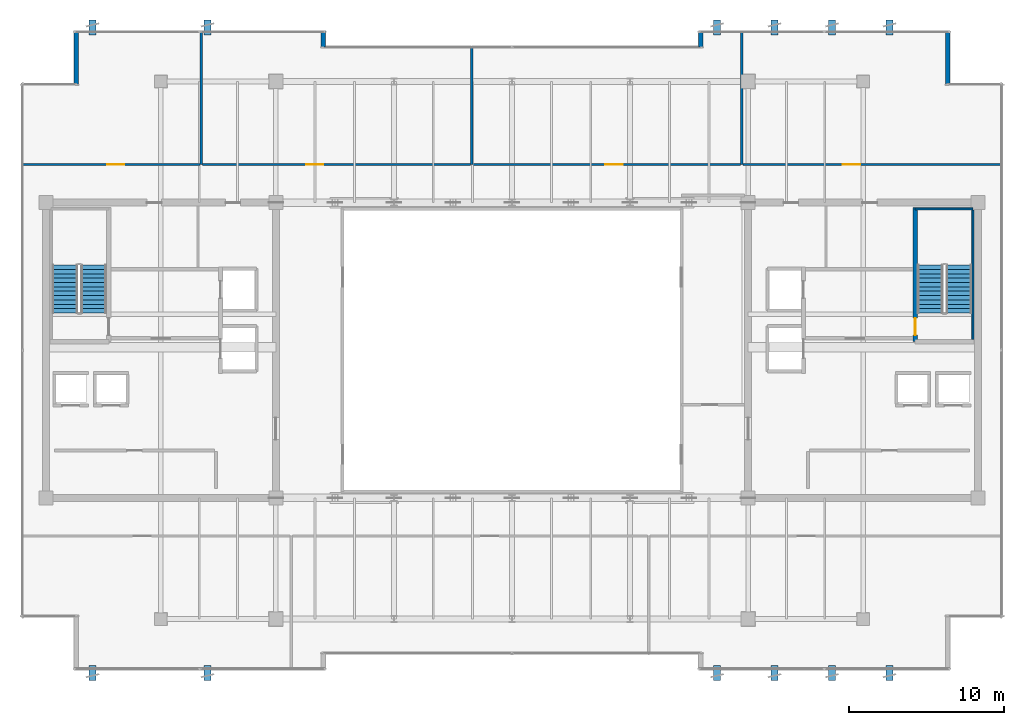
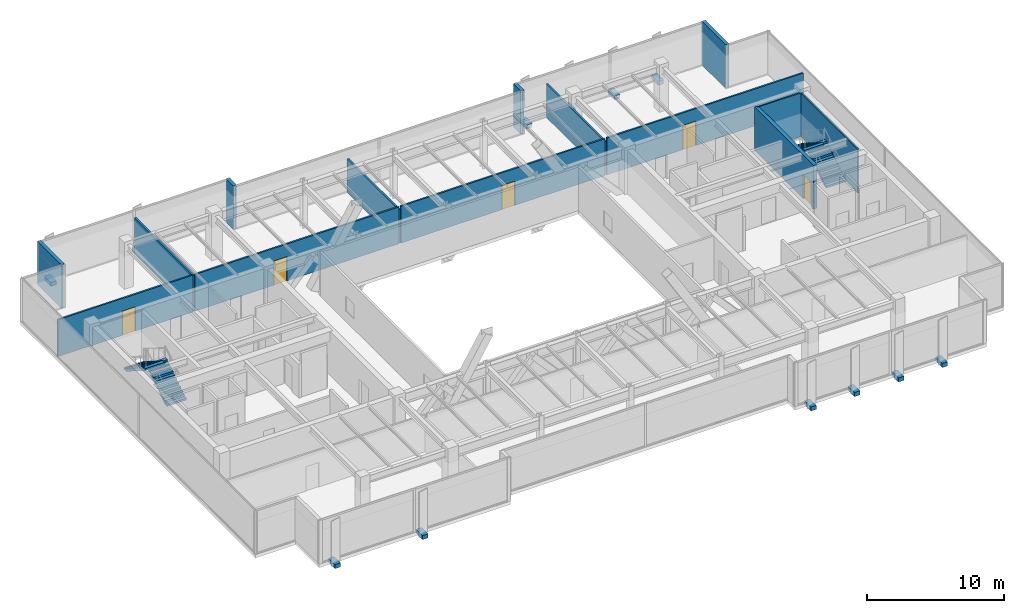
# One storey, part 28 of 32: 14 walls, 12 discrete accessories, 5 doors, 4 stair flights, 5 openings, 2 elements without a shape of their own.
"""IFC4 building model written with IfcOpenShell, lengths in metres."""

from ifc_helpers import new_model, si_unit, direction, frame, frame_2d, origin, origin_2d, place, context, subcontext, project, spatial, polyline, rectangle, outline, extrude, source, transform, mapped, material, layer, layer_set, type_object, type_shapes, element, fill, aggregate, save


model = new_model("IFC4")

# Units and contexts
model_context = context("Model", 3, precision=1e-05, world=origin(), true_north=direction((0.0, 1.0)))
body_context = subcontext(model_context, "Body", "Model", "MODEL_VIEW")
ifc_project = project(units=[si_unit("LENGTHUNIT", "METRE"), si_unit("AREAUNIT", "SQUARE_METRE"), si_unit("VOLUMEUNIT", "CUBIC_METRE"), si_unit("PLANEANGLEUNIT", "RADIAN"), si_unit("MASSUNIT", "GRAM", prefix="KILO")], contexts=[model_context])

# Site, building, storey
site_placement = place(None, origin())
site = spatial("IfcSite", under=ifc_project, at=site_placement, CompositionType="ELEMENT")
building_placement = place(site_placement, origin())
building = spatial("IfcBuilding", under=site, at=building_placement, Name="Haelvirn Gate Laboratories", CompositionType="ELEMENT")
storey_placement = place(building_placement, frame((0.0, 0.0, 306.0)))
storey = spatial("IfcBuildingStorey", under=building, at=storey_placement, Name="L73", CompositionType="ELEMENT", Elevation=306.0)

# Walls
ifc_material_1 = material(Name="Thermally-broken bronze aluminium rainscreen & mineral wool", Category="aluminium")
ifc_layer_1 = layer(ifc_material_1, 0.280029296875, Name="EW-TERR-280")
ifc_layer_set_1 = layer_set([ifc_layer_1], Name="Thermally-broken bronze aluminium rainscreen & mineral wool")
wall_type_1 = type_object("IfcWallType", Name="EW-TERR-280", PredefinedType="STANDARD", material=ifc_layer_set_1)
wall_1_placement = place(storey_placement, frame((65.4599609375, 41.412109375, 0.0), z_axis=(0.0, 0.0, 1.0), x_axis=(0.0, 1.0, 0.0)))
element("IfcWall", 1, at=wall_1_placement, inside=storey, type_object=wall_type_1, Name="L73 Atrium Recess Bronze Return Wall 09", PredefinedType="STANDARD", context=body_context, shape_type="SweptSolid", body=[
    extrude(rectangle(XDim=3.48779296875, YDim=0.280029296875, at=frame_2d((1.743896484375, 0.0))), origin(), (0.0, 0.0, 1.0), 3.89990234375),
])
for number, where, z_axis, x_axis, name in (
    (2, (49.5400390625, 44.89990234375, 0.0), (0.0, 0.0, 1.0), (0.0, -1.0, 0.0), "L73 Atrium Recess Bronze Return Wall 11"),
    (3, (25.260009765625, 43.806884765625, 0.0), (0.0, 0.0, 1.0), (0.0, 1.0, 0.0), "L73 Atrium Recess Bronze Return Wall 13"),
):
    element("IfcWall", number, at=place(storey_placement, frame(where, z_axis=z_axis, x_axis=x_axis)), inside=storey, type_object=wall_type_1, Name=name, PredefinedType="STANDARD", context=body_context, shape_type="SweptSolid", body=[
        extrude(rectangle(XDim=1.093017578125, YDim=0.280029296875, at=frame_2d((0.54638671875, 0.0))), origin(), (0.0, 0.0, 1.0), 3.89990234375),
    ])
wall_2_placement = place(storey_placement, frame((9.340087890625, 44.89990234375, 0.0), z_axis=(0.0, 0.0, 1.0), x_axis=(0.0, -1.0, 0.0)))
element("IfcWall", 4, at=wall_2_placement, inside=storey, type_object=wall_type_1, Name="L73 Atrium Recess Bronze Return Wall 15", PredefinedType="STANDARD", context=body_context, shape_type="SweptSolid", body=[
    extrude(rectangle(XDim=3.48779296875, YDim=0.280029296875, at=frame_2d((1.743896484375, 0.0))), origin(), (0.0, 0.0, 1.0), 3.89990234375),
])
ifc_material_2 = material(Name="Double-layer acoustic gypsum laboratory partition", Category="gypsum")
ifc_layer_2 = layer(ifc_material_2, 0.159912109375, Name="IW-ACOUST-160")
ifc_layer_set_2 = layer_set([ifc_layer_2], Name="Double-layer acoustic gypsum laboratory partition")
wall_type_2 = type_object("IfcWallType", Name="IW-ACOUST-160", PredefinedType="PARTITIONING", material=ifc_layer_set_2)
wall_3_placement = place(storey_placement, frame((17.39990234375, 36.260009765625, 0.0), z_axis=(0.0, 0.0, 1.0), x_axis=(0.0, 1.0, 0.0)))
element("IfcWall", 5, at=wall_3_placement, inside=storey, type_object=wall_type_2, Name="L73 Interior Wall IW-L73-NDIV-01", PredefinedType="PARTITIONING", context=body_context, shape_type="SweptSolid", body=[
    extrude(rectangle(XDim=8.530029296875, YDim=0.159912109375, at=frame_2d((4.26513671875, 0.0))), origin(), (0.0, 0.0, 1.0), 3.235107421875),
])
wall_4_placement = place(storey_placement, frame((34.800048828125, 36.260009765625, 0.0), z_axis=(0.0, 0.0, 1.0), x_axis=(0.0, 1.0, 0.0)))
element("IfcWall", 6, at=wall_4_placement, inside=storey, type_object=wall_type_2, Name="L73 Interior Wall IW-L73-NDIV-02", PredefinedType="PARTITIONING", context=body_context, shape_type="SweptSolid", body=[
    extrude(rectangle(XDim=7.530029296875, YDim=0.159912109375, at=frame_2d((3.76513671875, 0.0))), origin(), (0.0, 0.0, 1.0), 2.985107421875),
])
wall_5_placement = place(storey_placement, frame((52.199951171875, 36.260009765625, 0.0), z_axis=(0.0, 0.0, 1.0), x_axis=(0.0, 1.0, 0.0)))
element("IfcWall", 7, at=wall_5_placement, inside=storey, type_object=wall_type_2, Name="L73 Interior Wall IW-L73-NDIV-03", PredefinedType="PARTITIONING", context=body_context, shape_type="SweptSolid", body=[
    extrude(rectangle(XDim=8.530029296875, YDim=0.159912109375, at=frame_2d((4.26513671875, 0.0))), origin(), (0.0, 0.0, 1.0), 2.985107421875),
])

# Wall, opening, door
ifc_material_3 = material(Name="Acoustic mineral-wool gypsum board partition", Category="gypsum")
ifc_layer_3 = layer(ifc_material_3, 0.139892578125, Name="IW-PART-140")
ifc_layer_set_3 = layer_set([ifc_layer_3], Name="Acoustic mineral-wool gypsum board partition")
wall_type_3 = type_object("IfcWallType", Name="IW-PART-140", PredefinedType="PARTITIONING", material=ifc_layer_set_3)
wall_6_placement = place(storey_placement, frame((5.909912109375, 36.260009765625, 0.0), z_axis=(0.0, 0.0, 1.0), x_axis=(1.0, 0.0, 0.0)))
wall_6 = element("IfcWall", 8, at=wall_6_placement, inside=storey, type_object=wall_type_3, Name="L73 Interior Wall IW-L73-NCORR-01", PredefinedType="PARTITIONING", context=body_context, shape_type="SweptSolid", body=[
    extrude(rectangle(XDim=11.41015625, YDim=0.139892578125, at=frame_2d((5.705078125, 0.0))), origin(), (0.0, 0.0, 1.0), 3.297119140625),
])
opening_1_placement = place(wall_6_placement, frame((5.443359375, 0.0, 0.0)))
opening_1 = element("IfcOpeningElement", 9, at=opening_1_placement, cuts=wall_6, Name="Opening D1", PredefinedType="OPENING", context=body_context, shape_type="SweptSolid", body=[
    extrude(rectangle(XDim=1.10009765625, YDim=2.179931640625, at=frame_2d((0.550048828125, 1.08984375))), frame((0.0, 0.080078125, 0.0), z_axis=(0.0, -1.0, 0.0), x_axis=(1.0, 0.0, 0.0)), (0.0, 0.0, 1.0), 0.159912109375),
])
ifc_material_4 = material(Name="Vision-panel acoustic solid-core timber lab door", Category="wood")
door_type_1 = type_object("IfcDoorType", Name="DR-LAB-1100", OperationType="NOTDEFINED", PredefinedType="DOOR", material=ifc_material_4)
shared_shape_1 = source(origin(), body_context, "Body", "SweptSolid", [
    extrude(rectangle(XDim=1.10009765625, YDim=2.179931640625, at=frame_2d((0.550048828125, 1.08984375))), frame((0.0, 0.02490234375, 0.0), z_axis=(0.0, -1.0, 0.0), x_axis=(1.0, 0.0, 0.0)), (0.0, 0.0, 1.0), 0.050048828125),
])
type_shapes(door_type_1, [shared_shape_1])
door_1_placement = place(opening_1_placement, origin())
door_1 = element("IfcDoor", 10, at=door_1_placement, inside=storey, type_object=door_type_1, Name="L73 Protocol Briefing Training Room Door N1", OperationType="SINGLE_SWING_LEFT", OverallHeight=2.179931640625, OverallWidth=1.10009765625, PredefinedType="DOOR", context=body_context, shape_type="MappedRepresentation", body=[
    mapped(shared_shape_1, transform((0.0, 0.0, 0.0), scale=1.0)),
])
fill(opening_1, door_1)

wall_7_placement = place(storey_placement, frame((17.47998046875, 36.260009765625, 0.0), z_axis=(0.0, 0.0, 1.0), x_axis=(1.0, 0.0, 0.0)))
wall_7 = element("IfcWall", 11, at=wall_7_placement, inside=storey, type_object=wall_type_3, Name="L73 Interior Wall IW-L73-NCORR-02", PredefinedType="PARTITIONING", context=body_context, shape_type="SweptSolid", body=[
    extrude(rectangle(XDim=17.239990234375, YDim=0.139892578125, at=frame_2d((8.6201171875, 0.0))), origin(), (0.0, 0.0, 1.0), 3.297119140625),
])
opening_2_placement = place(wall_7_placement, frame((6.680419921875, 0.0, 0.0)))
opening_2 = element("IfcOpeningElement", 12, at=opening_2_placement, cuts=wall_7, Name="Opening D1", PredefinedType="OPENING", context=body_context, shape_type="SweptSolid", body=[
    extrude(rectangle(XDim=1.10009765625, YDim=2.179931640625, at=frame_2d((0.550048828125, 1.08984375))), frame((0.0, 0.080078125, 0.0), z_axis=(0.0, -1.0, 0.0), x_axis=(1.0, 0.0, 0.0)), (0.0, 0.0, 1.0), 0.159912109375),
])
door_2_placement = place(opening_2_placement, origin())
door_2 = element("IfcDoor", 13, at=door_2_placement, inside=storey, type_object=door_type_1, Name="L73 Scientific Reference Library Door N2", OperationType="SINGLE_SWING_RIGHT", OverallHeight=2.179931640625, OverallWidth=1.10009765625, PredefinedType="DOOR", context=body_context, shape_type="MappedRepresentation", body=[
    mapped(shared_shape_1, transform((0.0, 0.0, 0.0), scale=1.0)),
])
fill(opening_2, door_2)

wall_8_placement = place(storey_placement, frame((34.8798828125, 36.260009765625, 0.0), z_axis=(0.0, 0.0, 1.0), x_axis=(1.0, 0.0, 0.0)))
wall_8 = element("IfcWall", 14, at=wall_8_placement, inside=storey, type_object=wall_type_3, Name="L73 Interior Wall IW-L73-NCORR-03", PredefinedType="PARTITIONING", context=body_context, shape_type="SweptSolid", body=[
    extrude(rectangle(XDim=17.240234375, YDim=0.139892578125, at=frame_2d((8.6201171875, 0.0))), origin(), (0.0, 0.0, 1.0), 3.297119140625),
])
opening_3_placement = place(wall_8_placement, frame((8.533203125, 0.0, 0.0)))
opening_3 = element("IfcOpeningElement", 15, at=opening_3_placement, cuts=wall_8, Name="Opening D1", PredefinedType="OPENING", context=body_context, shape_type="SweptSolid", body=[
    extrude(rectangle(XDim=1.10009765625, YDim=2.179931640625, at=frame_2d((0.550048828125, 1.08984375))), frame((0.0, 0.080078125, 0.0), z_axis=(0.0, -1.0, 0.0), x_axis=(1.0, 0.0, 0.0)), (0.0, 0.0, 1.0), 0.159912109375),
])
door_3_placement = place(opening_3_placement, origin())
door_3 = element("IfcDoor", 16, at=door_3_placement, inside=storey, type_object=door_type_1, Name="L73 Instrumentation Prototyping Workshop Door N3", OperationType="SINGLE_SWING_LEFT", OverallHeight=2.179931640625, OverallWidth=1.10009765625, PredefinedType="DOOR", context=body_context, shape_type="MappedRepresentation", body=[
    mapped(shared_shape_1, transform((0.0, 0.0, 0.0), scale=1.0)),
])
fill(opening_3, door_3)

wall_9_placement = place(storey_placement, frame((52.280029296875, 36.260009765625, 0.0), z_axis=(0.0, 0.0, 1.0), x_axis=(1.0, 0.0, 0.0)))
wall_9 = element("IfcWall", 17, at=wall_9_placement, inside=storey, type_object=wall_type_3, Name="L73 Interior Wall IW-L73-NCORR-04", PredefinedType="PARTITIONING", context=body_context, shape_type="SweptSolid", body=[
    extrude(rectangle(XDim=16.60986328125, YDim=0.139892578125, at=frame_2d((8.304931640625, 0.0))), origin(), (0.0, 0.0, 1.0), 3.297119140625),
])
opening_4_placement = place(wall_9_placement, frame((6.422119140625, 0.0, 0.0)))
opening_4 = element("IfcOpeningElement", 18, at=opening_4_placement, cuts=wall_9, Name="Opening D1", PredefinedType="OPENING", context=body_context, shape_type="SweptSolid", body=[
    extrude(rectangle(XDim=1.10009765625, YDim=2.179931640625, at=frame_2d((0.550048828125, 1.08984375))), frame((0.0, 0.080078125, 0.0), z_axis=(0.0, -1.0, 0.0), x_axis=(1.0, 0.0, 0.0)), (0.0, 0.0, 1.0), 0.159912109375),
])
door_4_placement = place(opening_4_placement, origin())
door_4 = element("IfcDoor", 19, at=door_4_placement, inside=storey, type_object=door_type_1, Name="L73 Researcher Break Pantry Door N4", OperationType="SINGLE_SWING_RIGHT", OverallHeight=2.179931640625, OverallWidth=1.10009765625, PredefinedType="DOOR", context=body_context, shape_type="MappedRepresentation", body=[
    mapped(shared_shape_1, transform((0.0, 0.0, 0.0), scale=1.0)),
])
fill(opening_4, door_4)

# Walls
ifc_material_5 = material(Name="Concrete C50/60", Category="concrete")
ifc_layer_4 = layer(ifc_material_5, 0.1201171875, Name="SW-LINER-120")
ifc_layer_set_4 = layer_set([ifc_layer_4], Name="Concrete C50/60")
wall_type_4 = type_object("IfcWallType", Name="SW-LINER-120", PredefinedType="SOLIDWALL", material=ifc_layer_set_4)
wall_10_placement = place(storey_placement, frame((63.35009765625, 33.39990234375, 0.0), z_axis=(0.0, 0.0, 1.0), x_axis=(1.0, 0.0, 0.0)))
element("IfcWall", 20, at=wall_10_placement, inside=storey, type_object=wall_type_4, Name="L73 E Core Stair Shaft Liner Wall N", PredefinedType="SOLIDWALL", context=body_context, shape_type="SweptSolid", body=[
    extrude(rectangle(XDim=3.719970703125, YDim=0.1201171875, at=frame_2d((1.85986328125, 0.0))), origin(), (0.0, 0.0, 1.0), 3.89990234375),
])
wall_11_placement = place(storey_placement, frame((67.070068359375, 25.0, 0.0), z_axis=(0.0, 0.0, 1.0), x_axis=(0.0, 1.0, 0.0)))
element("IfcWall", 21, at=wall_11_placement, inside=storey, type_object=wall_type_4, Name="L73 E Core Stair Shaft Liner Wall OUT", PredefinedType="SOLIDWALL", context=body_context, shape_type="SweptSolid", body=[
    extrude(rectangle(XDim=8.320068359375, YDim=0.1201171875, at=frame_2d((4.16015625, 0.0))), origin(), (0.0, 0.0, 1.0), 3.89990234375),
])

# Wall, opening, door
ifc_layer_5 = layer(ifc_material_5, 0.300048828125, Name="SW-STAIR-300")
ifc_layer_set_5 = layer_set([ifc_layer_5], Name="Concrete C50/60")
wall_type_5 = type_object("IfcWallType", Name="SW-STAIR-300", PredefinedType="SHEAR", material=ifc_layer_set_5)
wall_12_placement = place(storey_placement, frame((63.35009765625, 24.85009765625, 0.0), z_axis=(0.0, 0.0, 1.0), x_axis=(0.0, 1.0, 0.0)))
wall_12 = element("IfcWall", 22, at=wall_12_placement, inside=storey, type_object=wall_type_5, Name="L73 E Core Stair Shaft Structural Wall IN", PredefinedType="SHEAR", context=body_context, shape_type="SweptSolid", body=[
    extrude(rectangle(XDim=8.6298828125, YDim=0.300048828125, at=frame_2d((4.31494140625, 0.0))), origin(), (0.0, 0.0, 1.0), 3.89990234375),
])
opening_5_placement = place(wall_12_placement, frame((0.419921875, 0.0, 0.0)))
opening_5 = element("IfcOpeningElement", 23, at=opening_5_placement, cuts=wall_12, Name="Opening FD3", PredefinedType="OPENING", context=body_context, shape_type="SweptSolid", body=[
    extrude(rectangle(XDim=1.10009765625, YDim=2.14990234375, at=frame_2d((0.550048828125, 1.074951171875))), frame((0.0, 0.16015625, 0.0), z_axis=(0.0, -1.0, 0.0), x_axis=(1.0, 0.0, 0.0)), (0.0, 0.0, 1.0), 0.320068359375),
])
ifc_material_6 = material(Name="Fire-rated steel SM355 escape stair door", Category="steel")
door_type_2 = type_object("IfcDoorType", Name="DR-FD-1100", OperationType="NOTDEFINED", PredefinedType="DOOR", material=ifc_material_6)
shared_shape_2 = source(origin(), body_context, "Body", "SweptSolid", [
    extrude(rectangle(XDim=1.10009765625, YDim=2.14990234375, at=frame_2d((0.550048828125, 1.074951171875))), frame((0.0, 0.02490234375, 0.0), z_axis=(0.0, -1.0, 0.0), x_axis=(1.0, 0.0, 0.0)), (0.0, 0.0, 1.0), 0.050048828125),
])
type_shapes(door_type_2, [shared_shape_2])
door_5_placement = place(opening_5_placement, origin())
door_5 = element("IfcDoor", 24, at=door_5_placement, inside=storey, type_object=door_type_2, Name="L73 Escape Stair ST2 Fire Door", OperationType="SINGLE_SWING_RIGHT", OverallHeight=2.14990234375, OverallWidth=1.10009765625, PredefinedType="DOOR", context=body_context, shape_type="MappedRepresentation", body=[
    mapped(shared_shape_2, transform((0.0, 0.0, 0.0), scale=1.0)),
])
fill(opening_5, door_5)

# Stair, stair flights
ifc_material_7 = material(Name="Concrete C40/50", Category="concrete")
stair_type = type_object("IfcStairType", Name="ST-DOG-1650-R24", PredefinedType="HALF_TURN_STAIR", material=ifc_material_7)
stair_1_placement = place(storey_placement, origin())
stair_1 = element("IfcStair", 25, at=stair_1_placement, inside=storey, type_object=stair_type, Name="L73 Escape Stair ST1", PredefinedType="HALF_TURN_STAIR")
stair_flight_type = type_object("IfcStairFlightType", Name="STF-1650-R12", PredefinedType="STRAIGHT", material=ifc_material_7)
shared_shape_3 = source(origin(), body_context, "Body", "SweptSolid", [
    extrude(outline(polyline([(0.0, 0.0), (0.0, 0.175048828125), (0.280029296875, 0.175048828125), (0.280029296875, 0.35009765625), (0.56005859375, 0.35009765625), (0.56005859375, 0.52490234375), (0.840087890625, 0.52490234375), (0.840087890625, 0.699951171875), (1.1201171875, 0.699951171875), (1.1201171875, 0.875), (1.39990234375, 0.875), (1.39990234375, 1.050048828125), (1.679931640625, 1.050048828125), (1.679931640625, 1.22509765625), (1.9599609375, 1.22509765625), (1.9599609375, 1.39990234375), (2.239990234375, 1.39990234375), (2.239990234375, 1.574951171875), (2.52001953125, 1.574951171875), (2.52001953125, 1.75), (2.800048828125, 1.75), (2.800048828125, 1.925048828125), (3.080078125, 1.925048828125), (3.080078125, 2.10009765625), (3.080078125, 1.736328125), (0.3017578125, 0.0), (0.0, 0.0)])), frame((0.0, 0.824951171875, 0.0), z_axis=(0.0, -1.0, 0.0), x_axis=(1.0, 0.0, 0.0)), (0.0, 0.0, 1.0), 1.64990234375),
])
type_shapes(stair_flight_type, [shared_shape_3])
stair_flight_1_placement = place(storey_placement, frame((10.47509765625, 26.699951171875, 0.0), z_axis=(0.0, 0.0, 1.0), x_axis=(0.0, 1.0, 0.0)))
stair_flight_1 = element("IfcStairFlight", 26, at=stair_flight_1_placement, type_object=stair_flight_type, Name="ST1 flight 1", NumberOfRisers=12, NumberOfTreads=11, PredefinedType="STRAIGHT", RiserHeight=0.175, TreadLength=0.28, context=body_context, shape_type="MappedRepresentation", body=[
    mapped(shared_shape_3, transform((0.0, 0.0, 0.0), scale=1.0)),
])
stair_flight_2_placement = place(storey_placement, frame((8.625, 29.780029296875, 2.10009765625), z_axis=(0.0, 0.0, 1.0), x_axis=(0.0, -1.0, 0.0)))
stair_flight_2 = element("IfcStairFlight", 27, at=stair_flight_2_placement, type_object=stair_flight_type, Name="ST1 flight 2", NumberOfRisers=12, NumberOfTreads=11, PredefinedType="STRAIGHT", RiserHeight=0.175, TreadLength=0.28, context=body_context, shape_type="MappedRepresentation", body=[
    mapped(shared_shape_3, transform((0.0, 0.0, 0.0), scale=1.0)),
])
aggregate(stair_1, [stair_flight_1, stair_flight_2])

stair_2_placement = place(storey_placement, origin())
stair_2 = element("IfcStair", 28, at=stair_2_placement, inside=storey, type_object=stair_type, Name="L73 Escape Stair ST2", PredefinedType="HALF_TURN_STAIR")
stair_flight_3_placement = place(storey_placement, frame((66.175048828125, 26.699951171875, 0.0), z_axis=(0.0, 0.0, 1.0), x_axis=(0.0, 1.0, 0.0)))
stair_flight_3 = element("IfcStairFlight", 29, at=stair_flight_3_placement, type_object=stair_flight_type, Name="ST2 flight 1", NumberOfRisers=12, NumberOfTreads=11, PredefinedType="STRAIGHT", RiserHeight=0.175, TreadLength=0.28, context=body_context, shape_type="MappedRepresentation", body=[
    mapped(shared_shape_3, transform((0.0, 0.0, 0.0), scale=1.0)),
])
stair_flight_4_placement = place(storey_placement, frame((64.324951171875, 29.780029296875, 2.10009765625), z_axis=(0.0, 0.0, 1.0), x_axis=(0.0, -1.0, 0.0)))
stair_flight_4 = element("IfcStairFlight", 30, at=stair_flight_4_placement, type_object=stair_flight_type, Name="ST2 flight 2", NumberOfRisers=12, NumberOfTreads=11, PredefinedType="STRAIGHT", RiserHeight=0.175, TreadLength=0.28, context=body_context, shape_type="MappedRepresentation", body=[
    mapped(shared_shape_3, transform((0.0, 0.0, 0.0), scale=1.0)),
])
aggregate(stair_2, [stair_flight_3, stair_flight_4])

# Discrete accessories
ifc_material_8 = material(Name="Steel SM355 & duplex stainless anchorage", Category="steel")
discrete_accessory_type = type_object("IfcDiscreteAccessoryType", Name="ACC-BRK-FIN", PredefinedType="BRACKET", material=ifc_material_8)
shared_shape_4 = source(origin(), body_context, "Body", "SweptSolid", [
    extrude(rectangle(XDim=0.4599609375, YDim=0.9599609375, at=origin_2d()), origin(), (0.0, 0.0, 1.0), 0.360107421875),
])
type_shapes(discrete_accessory_type, [shared_shape_4])
for number, where, z_axis, x_axis, name in (
    (31, (10.39990234375, 3.52001953125, -0.31982421875), (0.0, 0.0, 1.0), (1.0, 0.0, 0.0), "L73 Stainless Fin Outrigger Bracket S01"),
    (32, (10.39990234375, 45.080078125, -0.31982421875), (0.0, 0.0, 1.0), (1.0, 0.0, 0.0), "L73 Stainless Fin Outrigger Bracket N01"),
    (33, (17.800048828125, 3.52001953125, -0.31982421875), (0.0, 0.0, 1.0), (1.0, 0.0, 0.0), "L73 Stainless Fin Outrigger Bracket S02"),
    (34, (17.800048828125, 45.080078125, -0.31982421875), (0.0, 0.0, 1.0), (1.0, 0.0, 0.0), "L73 Stainless Fin Outrigger Bracket N02"),
    (35, (50.60009765625, 3.52001953125, -0.31982421875), (0.0, 0.0, 1.0), (1.0, 0.0, 0.0), "L73 Stainless Fin Outrigger Bracket S03"),
    (36, (50.60009765625, 45.080078125, -0.31982421875), (0.0, 0.0, 1.0), (1.0, 0.0, 0.0), "L73 Stainless Fin Outrigger Bracket N03"),
    (37, (54.300048828125, 3.52001953125, -0.31982421875), (0.0, 0.0, 1.0), (1.0, 0.0, 0.0), "L73 Stainless Fin Outrigger Bracket S04"),
    (38, (54.300048828125, 45.080078125, -0.31982421875), (0.0, 0.0, 1.0), (1.0, 0.0, 0.0), "L73 Stainless Fin Outrigger Bracket N04"),
    (39, (58.0, 3.52001953125, -0.31982421875), (0.0, 0.0, 1.0), (1.0, 0.0, 0.0), "L73 Stainless Fin Outrigger Bracket S05"),
    (40, (58.0, 45.080078125, -0.31982421875), (0.0, 0.0, 1.0), (1.0, 0.0, 0.0), "L73 Stainless Fin Outrigger Bracket N05"),
    (41, (61.699951171875, 3.52001953125, -0.31982421875), (0.0, 0.0, 1.0), (1.0, 0.0, 0.0), "L73 Stainless Fin Outrigger Bracket S06"),
    (42, (61.699951171875, 45.080078125, -0.31982421875), (0.0, 0.0, 1.0), (1.0, 0.0, 0.0), "L73 Stainless Fin Outrigger Bracket N06"),
):
    element("IfcDiscreteAccessory", number, at=place(storey_placement, frame(where, z_axis=z_axis, x_axis=x_axis)), inside=storey, type_object=discrete_accessory_type, Name=name, PredefinedType="BRACKET", context=body_context, shape_type="MappedRepresentation", body=[
        mapped(shared_shape_4, transform((0.0, 0.0, 0.0), scale=1.0)),
    ])

save(model, "model.ifc")
